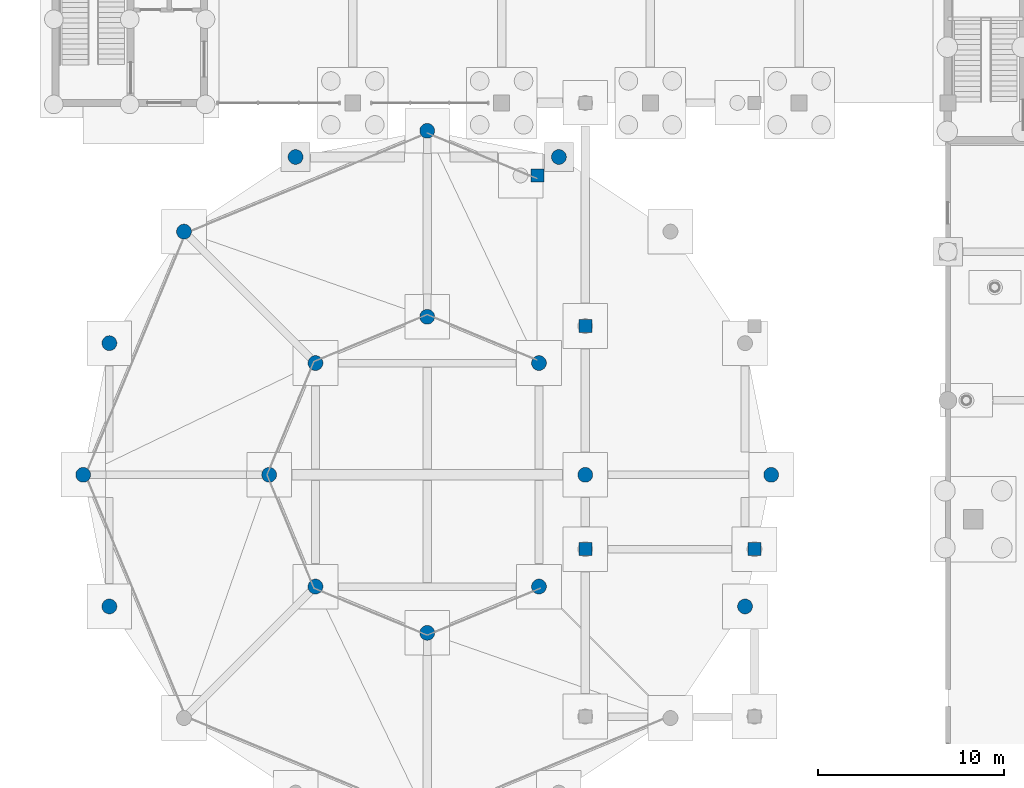
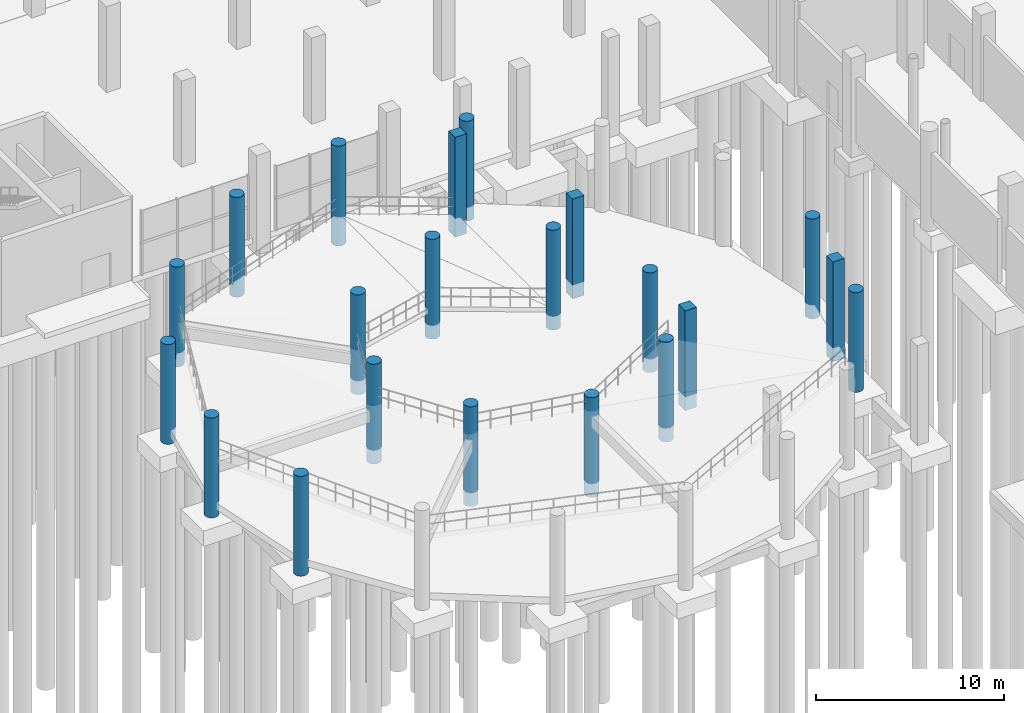
# One storey, part 14 of 98: 21 columns.
"""IFC4 building model written with IfcOpenShell, lengths in metres."""

from ifc_helpers import new_model, si_unit, derived_unit, direction, frame, origin, origin_2d, place, context, subcontext, project, spatial, rectangle, circle, extrude, material, material_profile, profile_set, type_object, element, save


model = new_model("IFC4")

# Units and contexts
model_context = context("Model", 3, precision=1e-05, world=origin(), true_north=direction((0.0, 1.0)))
body_context = subcontext(model_context, "Body", "Model", "MODEL_VIEW")
ifc_project = project(units=[si_unit("LENGTHUNIT", "METRE"), si_unit("AREAUNIT", "SQUARE_METRE"), si_unit("VOLUMEUNIT", "CUBIC_METRE"), si_unit("PLANEANGLEUNIT", "RADIAN"), si_unit("MASSUNIT", "GRAM", prefix="KILO"), si_unit("THERMODYNAMICTEMPERATUREUNIT", "KELVIN"), derived_unit("THERMALTRANSMITTANCEUNIT", [(si_unit("POWERUNIT", "WATT"), 1), (si_unit("AREAUNIT", "SQUARE_METRE"), -1), (si_unit("THERMODYNAMICTEMPERATUREUNIT", "KELVIN"), -1)])], contexts=[model_context])

# Site, building, storey
site_placement = place(None, origin())
site = spatial("IfcSite", under=ifc_project, at=site_placement, CompositionType="ELEMENT")
building_placement = place(site_placement, origin())
building = spatial("IfcBuilding", under=site, at=building_placement, Name="Haiyu Intermodal Mobility Hub", CompositionType="ELEMENT")
storey_placement = place(building_placement, origin())
storey = spatial("IfcBuildingStorey", under=building, at=storey_placement, Name="L00", CompositionType="ELEMENT", Elevation=0.0)

# Columns
ifc_material = material(Name="Concrete C40", Category="concrete")
ifc_material_profile_1 = material_profile(ifc_material, rectangle(XDim=0.699951171875, YDim=0.699951171875, at=origin_2d()), Name="RC700x700")
ifc_profile_set_1 = profile_set([ifc_material_profile_1], Name="Concrete C40")
column_type_1 = type_object("IfcColumnType", Name="COL-CC08", PredefinedType="COLUMN", material=ifc_profile_set_1)
for number, where, z_axis, x_axis, name in (
    (1, (51.60009765625, 56.0, -0.89990234375), (0.0, 0.0, 1.0), (1.0, 0.0, 0.0), "Column V2L-2 L00"),
    (2, (42.5, 56.0, -0.89990234375), (0.0, 0.0, 1.0), (1.0, 0.0, 0.0), "Column V2LW-2 L00"),
    (3, (42.5, 68.0, -0.89990234375), (0.0, 0.0, 1.0), (1.0, 0.0, 0.0), "Column V2LW-3 L00"),
    (4, (39.93994140625, 76.10009765625, -0.89990234375), (0.0, 0.0, 1.0), (1.0, 0.0, 0.0), "Column V2LW-N L00"),
):
    element("IfcColumn", number, at=place(storey_placement, frame(where, z_axis=z_axis, x_axis=x_axis)), inside=storey, type_object=column_type_1, Name=name, PredefinedType="COLUMN", context=body_context, shape_type="SweptSolid", body=[
        extrude(rectangle(XDim=0.699951171875, YDim=0.699951171875, at=origin_2d()), origin(), (0.0, 0.0, 1.0), 6.5),
    ])
ifc_material_profile_2 = material_profile(ifc_material, circle(Radius=0.39990234375, at=origin_2d()), Name="RCCOL-D800")
ifc_profile_set_2 = profile_set([ifc_material_profile_2], Name="Concrete C40")
column_type_2 = type_object("IfcColumnType", Name="COL-CR01", PredefinedType="COLUMN", material=ifc_profile_set_2)
for number, where, z_axis, x_axis, name in (
    (5, (42.5, 60.0, -0.89990234375), (0.0, 0.0, 1.0), (1.0, 0.0, 0.0), "Column V2I-01 L00"),
    (6, (40.010009765625, 66.010009765625, -0.89990234375), (0.0, 0.0, 1.0), (1.0, 0.0, 0.0), "Column V2I-02 L00"),
    (7, (34.0, 68.5, -0.89990234375), (0.0, 0.0, 1.0), (1.0, 0.0, 0.0), "Column V2I-03 L00"),
    (8, (27.989990234375, 66.010009765625, -0.89990234375), (0.0, 0.0, 1.0), (1.0, 0.0, 0.0), "Column V2I-04 L00"),
    (9, (25.5, 60.0, -0.89990234375), (0.0, 0.0, 1.0), (1.0, 0.0, 0.0), "Column V2I-05 L00"),
    (10, (27.989990234375, 53.989990234375, -0.89990234375), (0.0, 0.0, 1.0), (1.0, 0.0, 0.0), "Column V2I-06 L00"),
    (11, (34.0, 51.5, -0.89990234375), (0.0, 0.0, 1.0), (1.0, 0.0, 0.0), "Column V2I-07 L00"),
    (12, (40.010009765625, 53.989990234375, -0.89990234375), (0.0, 0.0, 1.0), (1.0, 0.0, 0.0), "Column V2I-08 L00"),
):
    element("IfcColumn", number, at=place(storey_placement, frame(where, z_axis=z_axis, x_axis=x_axis)), inside=storey, type_object=column_type_2, Name=name, PredefinedType="COLUMN", context=body_context, shape_type="SweptSolid", body=[
        extrude(circle(Radius=0.39990234375, at=origin_2d()), origin(), (0.0, 0.0, 1.0), 6.5),
    ])
ifc_material_profile_3 = material_profile(ifc_material, circle(Radius=0.39990234375, at=origin_2d()), Name="RCCOL-D800")
ifc_profile_set_3 = profile_set([ifc_material_profile_3], Name="Concrete C40")
column_type_3 = type_object("IfcColumnType", Name="COL-CR01-EXT", PredefinedType="COLUMN", material=ifc_profile_set_3)
for number, where, z_axis, x_axis, name in (
    (13, (52.5, 60.0, -0.89990234375), (0.0, 0.0, 1.0), (1.0, 0.0, 0.0), "Column V2O-01 L00"),
    (14, (41.080078125, 77.092041015625, -0.89990234375), (0.0, 0.0, 1.0), (1.0, 0.0, 0.0), "Column V2O-04 L00"),
    (15, (34.0, 78.5, -0.89990234375), (0.0, 0.0, 1.0), (1.0, 0.0, 0.0), "Column V2O-05 L00"),
    (16, (26.919921875, 77.092041015625, -0.89990234375), (0.0, 0.0, 1.0), (1.0, 0.0, 0.0), "Column V2O-06 L00"),
    (17, (20.9189453125, 73.0810546875, -0.89990234375), (0.0, 0.0, 1.0), (1.0, 0.0, 0.0), "Column V2O-07 L00"),
    (18, (16.907958984375, 67.080078125, -0.89990234375), (0.0, 0.0, 1.0), (1.0, 0.0, 0.0), "Column V2O-08 L00"),
    (19, (15.5, 60.0, -0.89990234375), (0.0, 0.0, 1.0), (1.0, 0.0, 0.0), "Column V2O-09 L00"),
    (20, (16.907958984375, 52.919921875, -0.89990234375), (0.0, 0.0, 1.0), (1.0, 0.0, 0.0), "Column V2O-10 L00"),
    (21, (51.092041015625, 52.919921875, -0.89990234375), (0.0, 0.0, 1.0), (1.0, 0.0, 0.0), "Column V2O-16 L00"),
):
    element("IfcColumn", number, at=place(storey_placement, frame(where, z_axis=z_axis, x_axis=x_axis)), inside=storey, type_object=column_type_3, Name=name, PredefinedType="COLUMN", context=body_context, shape_type="SweptSolid", body=[
        extrude(circle(Radius=0.39990234375, at=origin_2d()), origin(), (0.0, 0.0, 1.0), 6.5),
    ])

save(model, "model.ifc")
